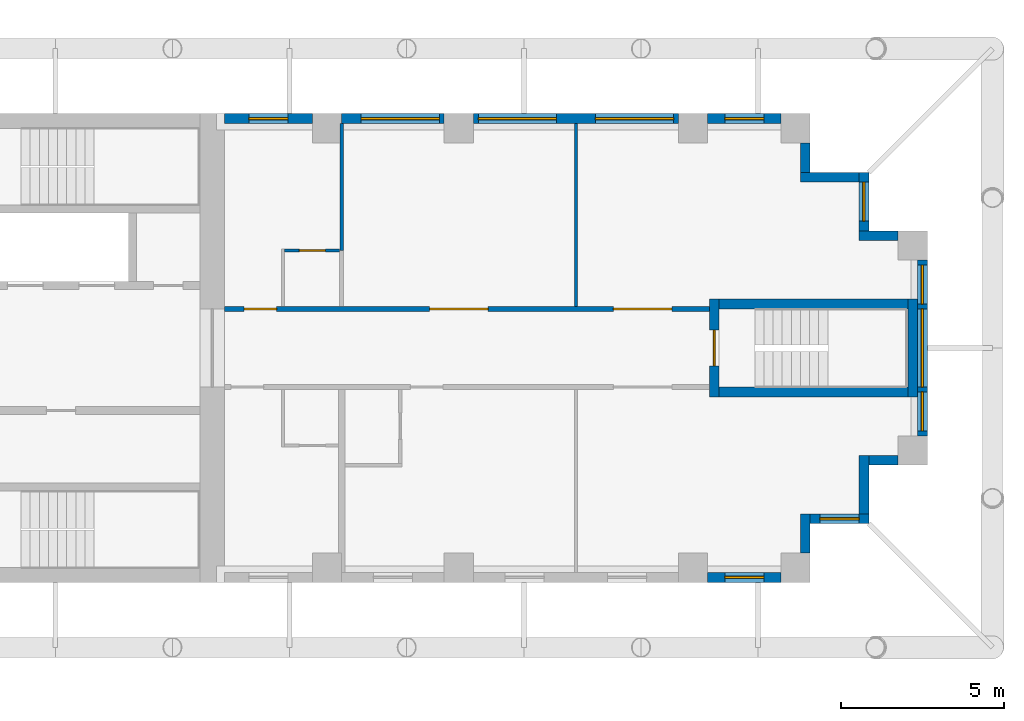
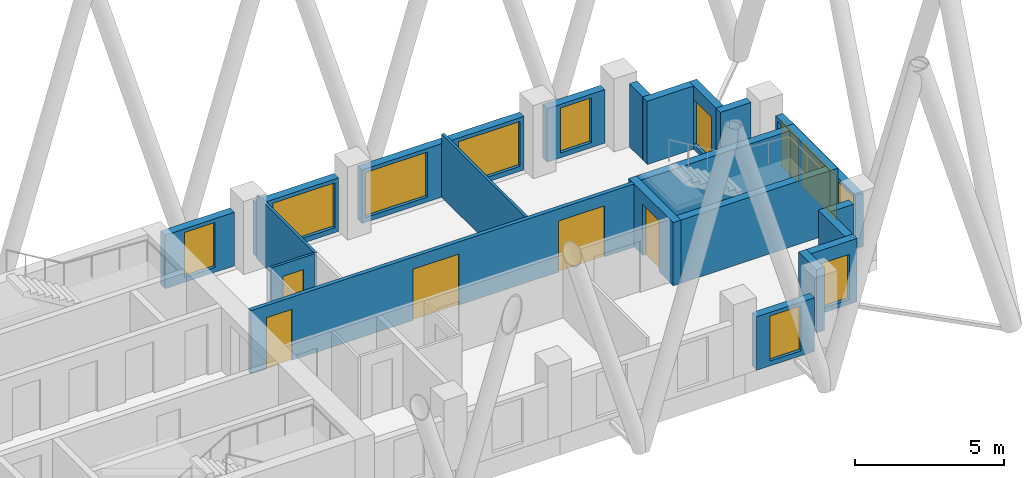
# One storey, part 9 of 12: 22 walls, 11 windows, 5 doors, 16 openings.
"""IFC4 building model written with IfcOpenShell, lengths in metres."""

from ifc_helpers import new_model, si_unit, direction, frame, frame_2d, origin, place, context, subcontext, project, spatial, rectangle, extrude, material, layer, layer_set, type_object, element, fill, save


model = new_model("IFC4")

# Units and contexts
model_context = context("Model", 3, precision=1e-05, world=origin(), true_north=direction((0.0, 1.0)))
body_context = subcontext(model_context, "Body", "Model", "MODEL_VIEW")
ifc_project = project(units=[si_unit("LENGTHUNIT", "METRE"), si_unit("AREAUNIT", "SQUARE_METRE"), si_unit("VOLUMEUNIT", "CUBIC_METRE"), si_unit("PLANEANGLEUNIT", "RADIAN"), si_unit("MASSUNIT", "GRAM", prefix="KILO")], contexts=[model_context])

# Site, building, storey
site_placement = place(None, origin())
site = spatial("IfcSite", under=ifc_project, at=site_placement, CompositionType="ELEMENT")
building_placement = place(site_placement, origin())
building = spatial("IfcBuilding", under=site, at=building_placement, Name="Fustian Cross Tower", CompositionType="ELEMENT")
storey_placement = place(building_placement, frame((0.0, 0.0, 129.300048828125)))
storey = spatial("IfcBuildingStorey", under=building, at=storey_placement, Name="L40", CompositionType="ELEMENT", Elevation=129.300048828125)

# Wall, openings, doors
ifc_material_1 = material(Name="Plasterboard on steel stud", Category="steel")
ifc_layer_1 = layer(ifc_material_1, 0.14990234375)
ifc_layer_set_1 = layer_set([ifc_layer_1], Name="Plasterboard on steel stud")
wall_type_1 = type_object("IfcWallType", Name="COMPARTMENT WALL 150 EI 60", PredefinedType="PARTITIONING", material=ifc_layer_set_1)
wall_1_placement = place(storey_placement, frame((21.60009765625, 1.199951171875, 0.0), z_axis=(0.0, 0.0, 1.0), x_axis=(1.0, 0.0, 0.0)))
wall_1 = element("IfcWall", 1, at=wall_1_placement, inside=storey, type_object=wall_type_1, Name="Partition 50", PredefinedType="PARTITIONING", context=body_context, shape_type="SweptSolid", body=[
    extrude(rectangle(XDim=14.89990234375, YDim=0.14990234375, at=frame_2d((7.449951171875, 0.0))), origin(), (0.0, 0.0, 1.0), 2.599853515625),
])
opening_1_placement = place(wall_1_placement, frame((0.60009765625, 0.0, 0.0)))
opening_1 = element("IfcOpeningElement", 2, at=opening_1_placement, cuts=wall_1, Name="Opening D19007", PredefinedType="OPENING", context=body_context, shape_type="SweptSolid", body=[
    extrude(rectangle(XDim=1.0, YDim=2.10009765625, at=frame_2d((0.5, 1.050048828125))), frame((0.0, 0.0849609375, 0.0), z_axis=(0.0, -1.0, 0.0), x_axis=(1.0, 0.0, 0.0)), (0.0, 0.0, 1.0), 0.169921875),
])
opening_2_placement = place(wall_1_placement, frame((6.300048828125, 0.0, 0.0)))
opening_2 = element("IfcOpeningElement", 3, at=opening_2_placement, cuts=wall_1, Name="Opening D19008", PredefinedType="OPENING", context=body_context, shape_type="SweptSolid", body=[
    extrude(rectangle(XDim=1.800048828125, YDim=2.10009765625, at=frame_2d((0.89990234375, 1.050048828125))), frame((0.0, 0.0849609375, 0.0), z_axis=(0.0, -1.0, 0.0), x_axis=(1.0, 0.0, 0.0)), (0.0, 0.0, 1.0), 0.169921875),
])
opening_3_placement = place(wall_1_placement, frame((11.949951171875, 0.0, 0.0)))
opening_3 = element("IfcOpeningElement", 4, at=opening_3_placement, cuts=wall_1, Name="Opening D19009", PredefinedType="OPENING", context=body_context, shape_type="SweptSolid", body=[
    extrude(rectangle(XDim=1.800048828125, YDim=2.10009765625, at=frame_2d((0.89990234375, 1.050048828125))), frame((0.0, 0.0849609375, 0.0), z_axis=(0.0, -1.0, 0.0), x_axis=(1.0, 0.0, 0.0)), (0.0, 0.0, 1.0), 0.169921875),
])
ifc_material_2 = material(Name="Timber fire door set", Category="wood")
door_type_1 = type_object("IfcDoorType", Name="FIRE DOUBLE DOOR 1800 FD30S", OperationType="DOUBLE_DOOR_DOUBLE_SWING", PredefinedType="DOOR", material=ifc_material_2)
door_1_placement = place(opening_2_placement, frame((1.800048828125, 0.0, 0.0), z_axis=(0.0, 0.0, 1.0), x_axis=(-1.0, 0.0, 0.0)))
door_1 = element("IfcDoor", 5, at=door_1_placement, inside=storey, type_object=door_type_1, Name="Door D19008", OperationType="DOUBLE_DOOR_DOUBLE_SWING", OverallHeight=2.10009765625, OverallWidth=1.800048828125, PredefinedType="DOOR", context=body_context, shape_type="SweptSolid", body=[
    extrude(rectangle(XDim=1.800048828125, YDim=2.10009765625, at=frame_2d((0.89990234375, 1.050048828125))), frame((0.0, 0.02490234375, 0.0), z_axis=(0.0, -1.0, 0.0), x_axis=(1.0, 0.0, 0.0)), (0.0, 0.0, 1.0), 0.050048828125),
])
fill(opening_2, door_1)
door_2_placement = place(opening_3_placement, frame((1.800048828125, 0.0, 0.0), z_axis=(0.0, 0.0, 1.0), x_axis=(-1.0, 0.0, 0.0)))
door_2 = element("IfcDoor", 6, at=door_2_placement, inside=storey, type_object=door_type_1, Name="Door D19009", OperationType="DOUBLE_DOOR_DOUBLE_SWING", OverallHeight=2.10009765625, OverallWidth=1.800048828125, PredefinedType="DOOR", context=body_context, shape_type="SweptSolid", body=[
    extrude(rectangle(XDim=1.800048828125, YDim=2.10009765625, at=frame_2d((0.89990234375, 1.050048828125))), frame((0.0, 0.02490234375, 0.0), z_axis=(0.0, -1.0, 0.0), x_axis=(1.0, 0.0, 0.0)), (0.0, 0.0, 1.0), 0.050048828125),
])
fill(opening_3, door_2)
ifc_material_3 = material(Name="Timber fire door set", Category="wood")
door_type_2 = type_object("IfcDoorType", Name="FIRE SWING DOOR 1000 FD30S", OperationType="SINGLE_SWING_LEFT", PredefinedType="DOOR", material=ifc_material_3)
door_3_placement = place(opening_1_placement, origin())
door_3 = element("IfcDoor", 7, at=door_3_placement, inside=storey, type_object=door_type_2, Name="Door D19007", OperationType="SINGLE_SWING_RIGHT", OverallHeight=2.10009765625, OverallWidth=1.0, PredefinedType="DOOR", context=body_context, shape_type="SweptSolid", body=[
    extrude(rectangle(XDim=1.0, YDim=2.10009765625, at=frame_2d((0.5, 1.050048828125))), frame((0.0, 0.02490234375, 0.0), z_axis=(0.0, -1.0, 0.0), x_axis=(1.0, 0.0, 0.0)), (0.0, 0.0, 1.0), 0.050048828125),
])
fill(opening_1, door_3)

# Wall, opening, door
ifc_material_4 = material(Name="Plasterboard on steel stud", Category="steel")
ifc_layer_2 = layer(ifc_material_4, 0.10009765625)
ifc_layer_set_2 = layer_set([ifc_layer_2], Name="Plasterboard on steel stud")
wall_type_2 = type_object("IfcWallType", Name="PARTITION 100 STUD", PredefinedType="PARTITIONING", material=ifc_layer_set_2)
wall_2_placement = place(storey_placement, frame((23.449951171875, 3.0, 0.0), z_axis=(0.0, 0.0, 1.0), x_axis=(1.0, 0.0, 0.0)))
wall_2 = element("IfcWall", 8, at=wall_2_placement, inside=storey, type_object=wall_type_2, Name="Partition 54", PredefinedType="PARTITIONING", context=body_context, shape_type="SweptSolid", body=[
    extrude(rectangle(XDim=1.6875, YDim=0.10009765625, at=frame_2d((0.84375, 0.0))), origin(), (0.0, 0.0, 1.0), 2.599853515625),
])
opening_4_placement = place(wall_2_placement, frame((0.449951171875, 0.0, 0.0)))
opening_4 = element("IfcOpeningElement", 9, at=opening_4_placement, cuts=wall_2, Name="Opening D19006", PredefinedType="OPENING", context=body_context, shape_type="SweptSolid", body=[
    extrude(rectangle(XDim=0.800048828125, YDim=2.10009765625, at=frame_2d((0.39990234375, 1.050048828125))), frame((0.0, 0.06005859375, 0.0), z_axis=(0.0, -1.0, 0.0), x_axis=(1.0, 0.0, 0.0)), (0.0, 0.0, 1.0), 0.1201171875),
])
ifc_material_5 = material(Name="Painted timber", Category="wood")
door_type_3 = type_object("IfcDoorType", Name="SWING DOOR 800", OperationType="SINGLE_SWING_LEFT", PredefinedType="DOOR", material=ifc_material_5)
door_4_placement = place(opening_4_placement, frame((0.800048828125, 0.0, 0.0), z_axis=(0.0, 0.0, 1.0), x_axis=(-1.0, 0.0, 0.0)))
door_4 = element("IfcDoor", 10, at=door_4_placement, inside=storey, type_object=door_type_3, Name="Door D19006", OperationType="SINGLE_SWING_LEFT", OverallHeight=2.10009765625, OverallWidth=0.800048828125, PredefinedType="DOOR", context=body_context, shape_type="SweptSolid", body=[
    extrude(rectangle(XDim=0.800048828125, YDim=2.10009765625, at=frame_2d((0.39990234375, 1.050048828125))), frame((0.0, 0.02490234375, 0.0), z_axis=(0.0, -1.0, 0.0), x_axis=(1.0, 0.0, 0.0)), (0.0, 0.0, 1.0), 0.050048828125),
])
fill(opening_4, door_4)

# Walls
wall_3_placement = place(storey_placement, frame((25.199951171875, 3.0, 0.0), z_axis=(0.0, 0.0, 1.0), x_axis=(0.0, 1.0, 0.0)))
element("IfcWall", 11, at=wall_3_placement, inside=storey, type_object=wall_type_2, Name="Partition 58", PredefinedType="PARTITIONING", context=body_context, shape_type="SweptSolid", body=[
    extrude(rectangle(XDim=3.89990234375, YDim=0.10009765625, at=frame_2d((1.949951171875, 0.0))), origin(), (0.0, 0.0, 1.0), 2.599853515625),
])
wall_4_placement = place(storey_placement, frame((32.39990234375, 1.27490234375, 0.0), z_axis=(0.0, 0.0, 1.0), x_axis=(0.0, 1.0, 0.0)))
element("IfcWall", 12, at=wall_4_placement, inside=storey, type_object=wall_type_2, Name="Partition 61", PredefinedType="PARTITIONING", context=body_context, shape_type="SweptSolid", body=[
    extrude(rectangle(XDim=5.625, YDim=0.10009765625, at=frame_2d((2.8125, 0.0))), origin(), (0.0, 0.0, 1.0), 2.599853515625),
])

# Wall, opening, door
ifc_material_6 = material(Name="Concrete C50/60", Category="concrete")
ifc_layer_3 = layer(ifc_material_6, 0.300048828125)
ifc_layer_set_3 = layer_set([ifc_layer_3], Name="Concrete C50/60")
wall_type_3 = type_object("IfcWallType", Name="STAIR ENCLOSURE WALL 300 C50/60", PredefinedType="SHEAR", material=ifc_layer_set_3)
wall_5_placement = place(storey_placement, frame((36.64990234375, -1.5, 0.0), z_axis=(0.0, 0.0, 1.0), x_axis=(0.0, 1.0, 0.0)))
wall_5 = element("IfcWall", 13, at=wall_5_placement, inside=storey, type_object=wall_type_3, Name="Stair enclosure wall", PredefinedType="SHEAR", context=body_context, shape_type="SweptSolid", body=[
    extrude(rectangle(XDim=3.0, YDim=0.300048828125, at=frame_2d((1.5, 0.0))), origin(), (0.0, 0.0, 1.0), 2.599853515625),
])
opening_5_placement = place(wall_5_placement, frame((0.949951171875, 0.0, 0.0)))
opening_5 = element("IfcOpeningElement", 14, at=opening_5_placement, cuts=wall_5, Name="Opening CD-17-31", PredefinedType="OPENING", context=body_context, shape_type="SweptSolid", body=[
    extrude(rectangle(XDim=1.10009765625, YDim=2.10009765625, at=frame_2d((0.550048828125, 1.050048828125))), frame((0.0, 0.159912109375, 0.0), z_axis=(0.0, -1.0, 0.0), x_axis=(1.0, 0.0, 0.0)), (0.0, 0.0, 1.0), 0.320068359375),
])
ifc_material_7 = material(Name="Steel", Category="steel")
door_type_4 = type_object("IfcDoorType", Name="FIRE DOOR FD60S 1100X2100", OperationType="SINGLE_SWING_LEFT", PredefinedType="DOOR", material=ifc_material_7)
door_5_placement = place(opening_5_placement, frame((1.10009765625, 0.0, 0.0), z_axis=(0.0, 0.0, 1.0), x_axis=(-1.0, 0.0, 0.0)))
door_5 = element("IfcDoor", 15, at=door_5_placement, inside=storey, type_object=door_type_4, Name="Core door CD-17-31", OperationType="SINGLE_SWING_RIGHT", OverallHeight=2.10009765625, OverallWidth=1.10009765625, PredefinedType="DOOR", context=body_context, shape_type="SweptSolid", body=[
    extrude(rectangle(XDim=1.10009765625, YDim=2.10009765625, at=frame_2d((0.550048828125, 1.050048828125))), frame((0.0, 0.02490234375, 0.0), z_axis=(0.0, -1.0, 0.0), x_axis=(1.0, 0.0, 0.0)), (0.0, 0.0, 1.0), 0.050048828125),
])
fill(opening_5, door_5)

# Walls
wall_6_placement = place(storey_placement, frame((42.75, -1.5, 0.0), z_axis=(0.0, 0.0, 1.0), x_axis=(0.0, 1.0, 0.0)))
element("IfcWall", 16, at=wall_6_placement, inside=storey, type_object=wall_type_3, Name="Stair enclosure wall", PredefinedType="SHEAR", context=body_context, shape_type="SweptSolid", body=[
    extrude(rectangle(XDim=3.0, YDim=0.300048828125, at=frame_2d((1.5, 0.0))), origin(), (0.0, 0.0, 1.0), 2.599853515625),
])
for number, where, z_axis, x_axis, name in (
    (17, (36.800048828125, -1.35009765625, 0.0), (0.0, 0.0, 1.0), (1.0, 0.0, 0.0), "Stair enclosure wall"),
    (18, (36.800048828125, 1.35009765625, 0.0), (0.0, 0.0, 1.0), (1.0, 0.0, 0.0), "Stair enclosure wall"),
):
    element("IfcWall", number, at=place(storey_placement, frame(where, z_axis=z_axis, x_axis=x_axis)), inside=storey, type_object=wall_type_3, Name=name, PredefinedType="SHEAR", context=body_context, shape_type="SweptSolid", body=[
        extrude(rectangle(XDim=5.800048828125, YDim=0.300048828125, at=frame_2d((2.89990234375, 0.0))), origin(), (0.0, 0.0, 1.0), 2.599853515625),
    ])

# Wall, opening, window
ifc_material_8 = material(Name="Dark aluminium cladding on insulated backing wall", Category="aluminium")
ifc_layer_4 = layer(ifc_material_8, 0.300048828125)
ifc_layer_set_4 = layer_set([ifc_layer_4], Name="Dark aluminium cladding on insulated backing wall")
wall_type_4 = type_object("IfcWallType", Name="XW1 EXTERNAL WALL 300", PredefinedType="SOLIDWALL", material=ifc_layer_set_4)
wall_7_placement = place(storey_placement, frame((36.449951171875, -7.050048828125, 0.0), z_axis=(0.0, 0.0, 1.0), x_axis=(1.0, 0.0, 0.0)))
wall_7 = element("IfcWall", 19, at=wall_7_placement, inside=storey, type_object=wall_type_4, Name="External wall", PredefinedType="SOLIDWALL", context=body_context, shape_type="SweptSolid", body=[
    extrude(rectangle(XDim=2.25, YDim=0.300048828125, at=frame_2d((1.125, 0.0))), origin(), (0.0, 0.0, 1.0), 2.199951171875),
])
opening_6_placement = place(wall_7_placement, frame((0.52490234375, 0.0, 0.199951171875)))
opening_6 = element("IfcOpeningElement", 20, at=opening_6_placement, cuts=wall_7, Name="Opening WN3", PredefinedType="OPENING", context=body_context, shape_type="SweptSolid", body=[
    extrude(rectangle(XDim=1.199951171875, YDim=1.85009765625, at=frame_2d((0.60009765625, 0.925048828125))), frame((0.0, 0.159912109375, 0.0), z_axis=(0.0, -1.0, 0.0), x_axis=(1.0, 0.0, 0.0)), (0.0, 0.0, 1.0), 0.320068359375),
])
ifc_material_9 = material(Name="Dark anodised aluminium and double glazing", Category="aluminium")
window_type_1 = type_object("IfcWindowType", Name="WN3 WINDOW 1200X1850", PartitioningType="SINGLE_PANEL", PredefinedType="WINDOW", material=ifc_material_9)
window_1_placement = place(opening_6_placement, origin())
window_1 = element("IfcWindow", 21, at=window_1_placement, inside=storey, type_object=window_type_1, Name="Window", OverallHeight=1.85009765625, OverallWidth=1.199951171875, PartitioningType="SINGLE_PANEL", PredefinedType="WINDOW", context=body_context, shape_type="SweptSolid", body=[
    extrude(rectangle(XDim=1.199951171875, YDim=1.85009765625, at=frame_2d((0.60009765625, 0.925048828125))), frame((0.0, 0.030029296875, 0.0), z_axis=(0.0, -1.0, 0.0), x_axis=(1.0, 0.0, 0.0)), (0.0, 0.0, 1.0), 0.06005859375),
])
fill(opening_6, window_1)

# Wall
wall_8_placement = place(storey_placement, frame((39.449951171875, -6.300048828125, 0.0), z_axis=(0.0, 0.0, 1.0), x_axis=(0.0, 1.0, 0.0)))
element("IfcWall", 22, at=wall_8_placement, inside=storey, type_object=wall_type_4, Name="External wall", PredefinedType="SOLIDWALL", context=body_context, shape_type="SweptSolid", body=[
    extrude(rectangle(XDim=1.199951171875, YDim=0.300048828125, at=frame_2d((0.60009765625, 0.0))), origin(), (0.0, 0.0, 1.0), 2.599853515625),
])

# Wall, opening, window
wall_9_placement = place(storey_placement, frame((39.60009765625, -5.25, 0.0), z_axis=(0.0, 0.0, 1.0), x_axis=(1.0, 0.0, 0.0)))
wall_9 = element("IfcWall", 23, at=wall_9_placement, inside=storey, type_object=wall_type_4, Name="External wall", PredefinedType="SOLIDWALL", context=body_context, shape_type="SweptSolid", body=[
    extrude(rectangle(XDim=1.7998046875, YDim=0.300048828125, at=frame_2d((0.89990234375, 0.0))), origin(), (0.0, 0.0, 1.0), 2.599853515625),
])
opening_7_placement = place(wall_9_placement, frame((0.300048828125, 0.0, 0.199951171875)))
opening_7 = element("IfcOpeningElement", 24, at=opening_7_placement, cuts=wall_9, Name="Opening WN3", PredefinedType="OPENING", context=body_context, shape_type="SweptSolid", body=[
    extrude(rectangle(XDim=1.199951171875, YDim=1.85009765625, at=frame_2d((0.60009765625, 0.925048828125))), frame((0.0, 0.159912109375, 0.0), z_axis=(0.0, -1.0, 0.0), x_axis=(1.0, 0.0, 0.0)), (0.0, 0.0, 1.0), 0.320068359375),
])
window_2_placement = place(opening_7_placement, origin())
window_2 = element("IfcWindow", 25, at=window_2_placement, inside=storey, type_object=window_type_1, Name="Window", OverallHeight=1.85009765625, OverallWidth=1.199951171875, PartitioningType="SINGLE_PANEL", PredefinedType="WINDOW", context=body_context, shape_type="SweptSolid", body=[
    extrude(rectangle(XDim=1.199951171875, YDim=1.85009765625, at=frame_2d((0.60009765625, 0.925048828125))), frame((0.0, 0.030029296875, 0.0), z_axis=(0.0, -1.0, 0.0), x_axis=(1.0, 0.0, 0.0)), (0.0, 0.0, 1.0), 0.06005859375),
])
fill(opening_7, window_2)

# Walls
wall_10_placement = place(storey_placement, frame((41.25, -5.10009765625, 0.0), z_axis=(0.0, 0.0, 1.0), x_axis=(0.0, 1.0, 0.0)))
element("IfcWall", 26, at=wall_10_placement, inside=storey, type_object=wall_type_4, Name="External wall", PredefinedType="SOLIDWALL", context=body_context, shape_type="SweptSolid", body=[
    extrude(rectangle(XDim=1.800048828125, YDim=0.300048828125, at=frame_2d((0.89990234375, 0.0))), origin(), (0.0, 0.0, 1.0), 2.599853515625),
])
wall_11_placement = place(storey_placement, frame((41.39990234375, -3.449951171875, 0.0), z_axis=(0.0, 0.0, 1.0), x_axis=(1.0, 0.0, 0.0)))
element("IfcWall", 27, at=wall_11_placement, inside=storey, type_object=wall_type_4, Name="External wall", PredefinedType="SOLIDWALL", context=body_context, shape_type="SweptSolid", body=[
    extrude(rectangle(XDim=0.900146484375, YDim=0.300048828125, at=frame_2d((0.4501953125, 0.0))), origin(), (0.0, 0.0, 1.0), 2.599853515625),
])

# Wall, openings, windows
wall_12_placement = place(storey_placement, frame((43.050048828125, -2.699951171875, 0.0), z_axis=(0.0, 0.0, 1.0), x_axis=(0.0, 1.0, 0.0)))
wall_12 = element("IfcWall", 28, at=wall_12_placement, inside=storey, type_object=wall_type_4, Name="External wall", PredefinedType="SOLIDWALL", context=body_context, shape_type="SweptSolid", body=[
    extrude(rectangle(XDim=5.39990234375, YDim=0.300048828125, at=frame_2d((2.699951171875, 0.0))), origin(), (0.0, 0.0, 1.0), 2.199951171875),
])
opening_8_placement = place(wall_12_placement, frame((1.5, 0.0, 0.199951171875)))
opening_8 = element("IfcOpeningElement", 29, at=opening_8_placement, cuts=wall_12, Name="Opening WN1", PredefinedType="OPENING", context=body_context, shape_type="SweptSolid", body=[
    extrude(rectangle(XDim=2.39990234375, YDim=1.85009765625, at=frame_2d((1.199951171875, 0.925048828125))), frame((0.0, 0.159912109375, 0.0), z_axis=(0.0, -1.0, 0.0), x_axis=(1.0, 0.0, 0.0)), (0.0, 0.0, 1.0), 0.320068359375),
])
opening_9_placement = place(wall_12_placement, frame((0.14990234375, 0.0, 0.199951171875)))
opening_9 = element("IfcOpeningElement", 30, at=opening_9_placement, cuts=wall_12, Name="Opening WN3", PredefinedType="OPENING", context=body_context, shape_type="SweptSolid", body=[
    extrude(rectangle(XDim=1.199951171875, YDim=1.85009765625, at=frame_2d((0.60009765625, 0.925048828125))), frame((0.0, 0.159912109375, 0.0), z_axis=(0.0, -1.0, 0.0), x_axis=(1.0, 0.0, 0.0)), (0.0, 0.0, 1.0), 0.320068359375),
])
opening_10_placement = place(wall_12_placement, frame((4.050048828125, 0.0, 0.199951171875)))
opening_10 = element("IfcOpeningElement", 31, at=opening_10_placement, cuts=wall_12, Name="Opening WN3", PredefinedType="OPENING", context=body_context, shape_type="SweptSolid", body=[
    extrude(rectangle(XDim=1.199951171875, YDim=1.85009765625, at=frame_2d((0.60009765625, 0.925048828125))), frame((0.0, 0.159912109375, 0.0), z_axis=(0.0, -1.0, 0.0), x_axis=(1.0, 0.0, 0.0)), (0.0, 0.0, 1.0), 0.320068359375),
])
ifc_material_10 = material(Name="Dark anodised aluminium and double glazing", Category="aluminium")
window_type_2 = type_object("IfcWindowType", Name="WN1 WINDOW 2400X1850", PartitioningType="SINGLE_PANEL", PredefinedType="WINDOW", material=ifc_material_10)
window_3_placement = place(opening_8_placement, origin())
window_3 = element("IfcWindow", 32, at=window_3_placement, inside=storey, type_object=window_type_2, Name="Window", OverallHeight=1.85009765625, OverallWidth=2.39990234375, PartitioningType="SINGLE_PANEL", PredefinedType="WINDOW", context=body_context, shape_type="SweptSolid", body=[
    extrude(rectangle(XDim=2.39990234375, YDim=1.85009765625, at=frame_2d((1.199951171875, 0.925048828125))), frame((0.0, 0.030029296875, 0.0), z_axis=(0.0, -1.0, 0.0), x_axis=(1.0, 0.0, 0.0)), (0.0, 0.0, 1.0), 0.06005859375),
])
fill(opening_8, window_3)
window_4_placement = place(opening_9_placement, origin())
window_4 = element("IfcWindow", 33, at=window_4_placement, inside=storey, type_object=window_type_1, Name="Window", OverallHeight=1.85009765625, OverallWidth=1.199951171875, PartitioningType="SINGLE_PANEL", PredefinedType="WINDOW", context=body_context, shape_type="SweptSolid", body=[
    extrude(rectangle(XDim=1.199951171875, YDim=1.85009765625, at=frame_2d((0.60009765625, 0.925048828125))), frame((0.0, 0.030029296875, 0.0), z_axis=(0.0, -1.0, 0.0), x_axis=(1.0, 0.0, 0.0)), (0.0, 0.0, 1.0), 0.06005859375),
])
fill(opening_9, window_4)
window_5_placement = place(opening_10_placement, origin())
window_5 = element("IfcWindow", 34, at=window_5_placement, inside=storey, type_object=window_type_1, Name="Window", OverallHeight=1.85009765625, OverallWidth=1.199951171875, PartitioningType="SINGLE_PANEL", PredefinedType="WINDOW", context=body_context, shape_type="SweptSolid", body=[
    extrude(rectangle(XDim=1.199951171875, YDim=1.85009765625, at=frame_2d((0.60009765625, 0.925048828125))), frame((0.0, 0.030029296875, 0.0), z_axis=(0.0, -1.0, 0.0), x_axis=(1.0, 0.0, 0.0)), (0.0, 0.0, 1.0), 0.06005859375),
])
fill(opening_10, window_5)

# Wall
wall_13_placement = place(storey_placement, frame((42.300048828125, 3.449951171875, 0.0), z_axis=(0.0, 0.0, 1.0), x_axis=(-1.0, 0.0, 0.0)))
element("IfcWall", 35, at=wall_13_placement, inside=storey, type_object=wall_type_4, Name="External wall", PredefinedType="SOLIDWALL", context=body_context, shape_type="SweptSolid", body=[
    extrude(rectangle(XDim=1.199951171875, YDim=0.300048828125, at=frame_2d((0.60009765625, 0.0))), origin(), (0.0, 0.0, 1.0), 2.599853515625),
])

# Wall, opening, window
wall_14_placement = place(storey_placement, frame((41.25, 3.60009765625, 0.0), z_axis=(0.0, 0.0, 1.0), x_axis=(0.0, 1.0, 0.0)))
wall_14 = element("IfcWall", 36, at=wall_14_placement, inside=storey, type_object=wall_type_4, Name="External wall", PredefinedType="SOLIDWALL", context=body_context, shape_type="SweptSolid", body=[
    extrude(rectangle(XDim=1.7998046875, YDim=0.300048828125, at=frame_2d((0.89990234375, 0.0))), origin(), (0.0, 0.0, 1.0), 2.599853515625),
])
opening_11_placement = place(wall_14_placement, frame((0.300048828125, 0.0, 0.199951171875)))
opening_11 = element("IfcOpeningElement", 37, at=opening_11_placement, cuts=wall_14, Name="Opening WN3", PredefinedType="OPENING", context=body_context, shape_type="SweptSolid", body=[
    extrude(rectangle(XDim=1.199951171875, YDim=1.85009765625, at=frame_2d((0.60009765625, 0.925048828125))), frame((0.0, 0.159912109375, 0.0), z_axis=(0.0, -1.0, 0.0), x_axis=(1.0, 0.0, 0.0)), (0.0, 0.0, 1.0), 0.320068359375),
])
window_6_placement = place(opening_11_placement, origin())
window_6 = element("IfcWindow", 38, at=window_6_placement, inside=storey, type_object=window_type_1, Name="Window", OverallHeight=1.85009765625, OverallWidth=1.199951171875, PartitioningType="SINGLE_PANEL", PredefinedType="WINDOW", context=body_context, shape_type="SweptSolid", body=[
    extrude(rectangle(XDim=1.199951171875, YDim=1.85009765625, at=frame_2d((0.60009765625, 0.925048828125))), frame((0.0, 0.030029296875, 0.0), z_axis=(0.0, -1.0, 0.0), x_axis=(1.0, 0.0, 0.0)), (0.0, 0.0, 1.0), 0.06005859375),
])
fill(opening_11, window_6)

# Walls
wall_15_placement = place(storey_placement, frame((41.10009765625, 5.25, 0.0), z_axis=(0.0, 0.0, 1.0), x_axis=(-1.0, 0.0, 0.0)))
element("IfcWall", 39, at=wall_15_placement, inside=storey, type_object=wall_type_4, Name="External wall", PredefinedType="SOLIDWALL", context=body_context, shape_type="SweptSolid", body=[
    extrude(rectangle(XDim=1.800048828125, YDim=0.300048828125, at=frame_2d((0.89990234375, 0.0))), origin(), (0.0, 0.0, 1.0), 2.599853515625),
])
wall_16_placement = place(storey_placement, frame((39.449951171875, 5.39990234375, 0.0), z_axis=(0.0, 0.0, 1.0), x_axis=(0.0, 1.0, 0.0)))
element("IfcWall", 40, at=wall_16_placement, inside=storey, type_object=wall_type_4, Name="External wall", PredefinedType="SOLIDWALL", context=body_context, shape_type="SweptSolid", body=[
    extrude(rectangle(XDim=0.900146484375, YDim=0.300048828125, at=frame_2d((0.4501953125, 0.0))), origin(), (0.0, 0.0, 1.0), 2.599853515625),
])

# Wall, opening, window
wall_17_placement = place(storey_placement, frame((38.699951171875, 7.050048828125, 0.0), z_axis=(0.0, 0.0, 1.0), x_axis=(-1.0, 0.0, 0.0)))
wall_17 = element("IfcWall", 41, at=wall_17_placement, inside=storey, type_object=wall_type_4, Name="External wall", PredefinedType="SOLIDWALL", context=body_context, shape_type="SweptSolid", body=[
    extrude(rectangle(XDim=2.25, YDim=0.300048828125, at=frame_2d((1.125, 0.0))), origin(), (0.0, 0.0, 1.0), 2.199951171875),
])
opening_12_placement = place(wall_17_placement, frame((0.52490234375, 0.0, 0.199951171875)))
opening_12 = element("IfcOpeningElement", 42, at=opening_12_placement, cuts=wall_17, Name="Opening WN3", PredefinedType="OPENING", context=body_context, shape_type="SweptSolid", body=[
    extrude(rectangle(XDim=1.199951171875, YDim=1.85009765625, at=frame_2d((0.60009765625, 0.925048828125))), frame((0.0, 0.159912109375, 0.0), z_axis=(0.0, -1.0, 0.0), x_axis=(1.0, 0.0, 0.0)), (0.0, 0.0, 1.0), 0.320068359375),
])
window_7_placement = place(opening_12_placement, origin())
window_7 = element("IfcWindow", 43, at=window_7_placement, inside=storey, type_object=window_type_1, Name="Window", OverallHeight=1.85009765625, OverallWidth=1.199951171875, PartitioningType="SINGLE_PANEL", PredefinedType="WINDOW", context=body_context, shape_type="SweptSolid", body=[
    extrude(rectangle(XDim=1.199951171875, YDim=1.85009765625, at=frame_2d((0.60009765625, 0.925048828125))), frame((0.0, 0.030029296875, 0.0), z_axis=(0.0, -1.0, 0.0), x_axis=(1.0, 0.0, 0.0)), (0.0, 0.0, 1.0), 0.06005859375),
])
fill(opening_12, window_7)

# Wall, openings, windows
wall_18_placement = place(storey_placement, frame((35.550048828125, 7.050048828125, 0.0), z_axis=(0.0, 0.0, 1.0), x_axis=(-1.0, 0.0, 0.0)))
wall_18 = element("IfcWall", 44, at=wall_18_placement, inside=storey, type_object=wall_type_4, Name="External wall", PredefinedType="SOLIDWALL", context=body_context, shape_type="SweptSolid", body=[
    extrude(rectangle(XDim=6.300048828125, YDim=0.300048828125, at=frame_2d((3.14990234375, 0.0))), origin(), (0.0, 0.0, 1.0), 2.199951171875),
])
opening_13_placement = place(wall_18_placement, frame((0.14990234375, 0.0, 0.199951171875)))
opening_13 = element("IfcOpeningElement", 45, at=opening_13_placement, cuts=wall_18, Name="Opening WN1", PredefinedType="OPENING", context=body_context, shape_type="SweptSolid", body=[
    extrude(rectangle(XDim=2.39990234375, YDim=1.85009765625, at=frame_2d((1.199951171875, 0.925048828125))), frame((0.0, 0.159912109375, 0.0), z_axis=(0.0, -1.0, 0.0), x_axis=(1.0, 0.0, 0.0)), (0.0, 0.0, 1.0), 0.320068359375),
])
opening_14_placement = place(wall_18_placement, frame((3.75, 0.0, 0.199951171875)))
opening_14 = element("IfcOpeningElement", 46, at=opening_14_placement, cuts=wall_18, Name="Opening WN1", PredefinedType="OPENING", context=body_context, shape_type="SweptSolid", body=[
    extrude(rectangle(XDim=2.39990234375, YDim=1.85009765625, at=frame_2d((1.199951171875, 0.925048828125))), frame((0.0, 0.159912109375, 0.0), z_axis=(0.0, -1.0, 0.0), x_axis=(1.0, 0.0, 0.0)), (0.0, 0.0, 1.0), 0.320068359375),
])
window_8_placement = place(opening_13_placement, origin())
window_8 = element("IfcWindow", 47, at=window_8_placement, inside=storey, type_object=window_type_2, Name="Window", OverallHeight=1.85009765625, OverallWidth=2.39990234375, PartitioningType="SINGLE_PANEL", PredefinedType="WINDOW", context=body_context, shape_type="SweptSolid", body=[
    extrude(rectangle(XDim=2.39990234375, YDim=1.85009765625, at=frame_2d((1.199951171875, 0.925048828125))), frame((0.0, 0.030029296875, 0.0), z_axis=(0.0, -1.0, 0.0), x_axis=(1.0, 0.0, 0.0)), (0.0, 0.0, 1.0), 0.06005859375),
])
fill(opening_13, window_8)
window_9_placement = place(opening_14_placement, origin())
window_9 = element("IfcWindow", 48, at=window_9_placement, inside=storey, type_object=window_type_2, Name="Window", OverallHeight=1.85009765625, OverallWidth=2.39990234375, PartitioningType="SINGLE_PANEL", PredefinedType="WINDOW", context=body_context, shape_type="SweptSolid", body=[
    extrude(rectangle(XDim=2.39990234375, YDim=1.85009765625, at=frame_2d((1.199951171875, 0.925048828125))), frame((0.0, 0.030029296875, 0.0), z_axis=(0.0, -1.0, 0.0), x_axis=(1.0, 0.0, 0.0)), (0.0, 0.0, 1.0), 0.06005859375),
])
fill(opening_14, window_9)

# Wall, opening, window
wall_19_placement = place(storey_placement, frame((28.35009765625, 7.050048828125, 0.0), z_axis=(0.0, 0.0, 1.0), x_axis=(-1.0, 0.0, 0.0)))
wall_19 = element("IfcWall", 49, at=wall_19_placement, inside=storey, type_object=wall_type_4, Name="External wall", PredefinedType="SOLIDWALL", context=body_context, shape_type="SweptSolid", body=[
    extrude(rectangle(XDim=3.150146484375, YDim=0.300048828125, at=frame_2d((1.5751953125, 0.0))), origin(), (0.0, 0.0, 1.0), 2.199951171875),
])
opening_15_placement = place(wall_19_placement, frame((0.14990234375, 0.0, 0.199951171875)))
opening_15 = element("IfcOpeningElement", 50, at=opening_15_placement, cuts=wall_19, Name="Opening WN1", PredefinedType="OPENING", context=body_context, shape_type="SweptSolid", body=[
    extrude(rectangle(XDim=2.39990234375, YDim=1.85009765625, at=frame_2d((1.199951171875, 0.925048828125))), frame((0.0, 0.159912109375, 0.0), z_axis=(0.0, -1.0, 0.0), x_axis=(1.0, 0.0, 0.0)), (0.0, 0.0, 1.0), 0.320068359375),
])
window_10_placement = place(opening_15_placement, origin())
window_10 = element("IfcWindow", 51, at=window_10_placement, inside=storey, type_object=window_type_2, Name="Window", OverallHeight=1.85009765625, OverallWidth=2.39990234375, PartitioningType="SINGLE_PANEL", PredefinedType="WINDOW", context=body_context, shape_type="SweptSolid", body=[
    extrude(rectangle(XDim=2.39990234375, YDim=1.85009765625, at=frame_2d((1.199951171875, 0.925048828125))), frame((0.0, 0.030029296875, 0.0), z_axis=(0.0, -1.0, 0.0), x_axis=(1.0, 0.0, 0.0)), (0.0, 0.0, 1.0), 0.06005859375),
])
fill(opening_15, window_10)

wall_20_placement = place(storey_placement, frame((24.300048828125, 7.050048828125, 0.0), z_axis=(0.0, 0.0, 1.0), x_axis=(-1.0, 0.0, 0.0)))
wall_20 = element("IfcWall", 52, at=wall_20_placement, inside=storey, type_object=wall_type_4, Name="External wall", PredefinedType="SOLIDWALL", context=body_context, shape_type="SweptSolid", body=[
    extrude(rectangle(XDim=2.699951171875, YDim=0.300048828125, at=frame_2d((1.35009765625, 0.0))), origin(), (0.0, 0.0, 1.0), 2.199951171875),
])
opening_16_placement = place(wall_20_placement, frame((0.75, 0.0, 0.199951171875)))
opening_16 = element("IfcOpeningElement", 53, at=opening_16_placement, cuts=wall_20, Name="Opening WN3", PredefinedType="OPENING", context=body_context, shape_type="SweptSolid", body=[
    extrude(rectangle(XDim=1.199951171875, YDim=1.85009765625, at=frame_2d((0.60009765625, 0.925048828125))), frame((0.0, 0.159912109375, 0.0), z_axis=(0.0, -1.0, 0.0), x_axis=(1.0, 0.0, 0.0)), (0.0, 0.0, 1.0), 0.320068359375),
])
window_11_placement = place(opening_16_placement, origin())
window_11 = element("IfcWindow", 54, at=window_11_placement, inside=storey, type_object=window_type_1, Name="Window", OverallHeight=1.85009765625, OverallWidth=1.199951171875, PartitioningType="SINGLE_PANEL", PredefinedType="WINDOW", context=body_context, shape_type="SweptSolid", body=[
    extrude(rectangle(XDim=1.199951171875, YDim=1.85009765625, at=frame_2d((0.60009765625, 0.925048828125))), frame((0.0, 0.030029296875, 0.0), z_axis=(0.0, -1.0, 0.0), x_axis=(1.0, 0.0, 0.0)), (0.0, 0.0, 1.0), 0.06005859375),
])
fill(opening_16, window_11)

save(model, "model.ifc")
